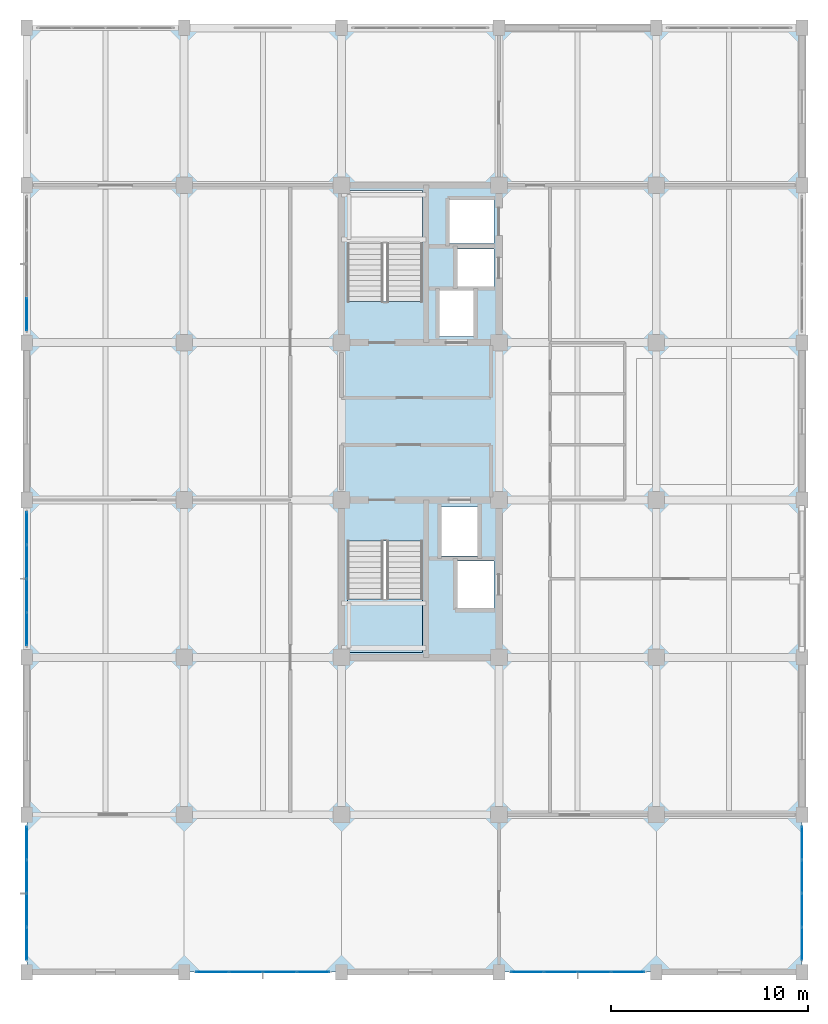
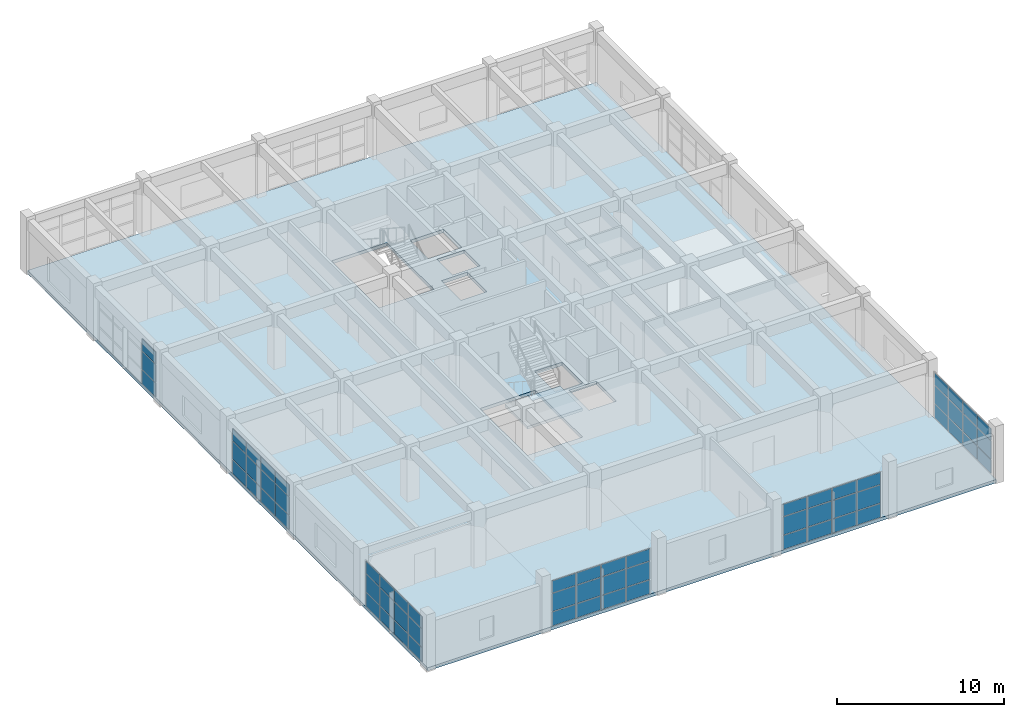
# One storey, part 19 of 27: 63 plates, 2 slabs, 7 elements without a shape of their own.
"""IFC4 building model written with IfcOpenShell, lengths in metres."""

from ifc_helpers import new_model, si_unit, direction, frame, origin, origin_2d, place, context, subcontext, project, spatial, polyline, rectangle, outline, extrude, material, layer, layer_set, type_object, element, aggregate, save


model = new_model("IFC4")

# Units and contexts
model_context = context("Model", 3, precision=1e-05, world=origin(), true_north=direction((0.0, 1.0)))
body_context = subcontext(model_context, "Body", "Model", "MODEL_VIEW")
ifc_project = project(units=[si_unit("LENGTHUNIT", "METRE"), si_unit("AREAUNIT", "SQUARE_METRE"), si_unit("VOLUMEUNIT", "CUBIC_METRE"), si_unit("PLANEANGLEUNIT", "RADIAN"), si_unit("MASSUNIT", "GRAM", prefix="KILO")], contexts=[model_context])

# Site, building, storey
site_placement = place(None, origin())
site = spatial("IfcSite", under=ifc_project, at=site_placement, CompositionType="ELEMENT")
building_placement = place(site_placement, origin())
building = spatial("IfcBuilding", under=site, at=building_placement, Name="Canggui Botanical Conservatory", CompositionType="ELEMENT")
storey_placement = place(building_placement, frame((0.0, 0.0, 23.39990234375)))
storey = spatial("IfcBuildingStorey", under=building, at=storey_placement, Name="L06", CompositionType="ELEMENT", Elevation=23.39990234375)

# Curtain wall, plates
ifc_material_1 = material(Name="Thermally Broken Aluminium", Category="aluminium")
ifc_layer_1 = layer(ifc_material_1, 0.14990234375, Name="Thermally Broken Aluminium", Category="aluminium")
ifc_layer_set_1 = layer_set([ifc_layer_1], Name="Thermally Broken Aluminium")
curtain_wall_type = type_object("IfcCurtainWallType", Name="CW-UNIT-C", PredefinedType="USERDEFINED", material=ifc_layer_set_1)
curtain_wall_1_placement = place(storey_placement, origin())
curtain_wall_1 = element("IfcCurtainWall", 1, at=curtain_wall_1_placement, inside=storey, type_object=curtain_wall_type, Name="Facade Curtain Wall CW-TWR-L06-02", ObjectType="UNITISED CURTAIN WALL", PredefinedType="USERDEFINED")
ifc_material_2 = material(Name="Low-E Insulated Glass", Category="glass")
ifc_layer_2 = layer(ifc_material_2, 0.033935546875, Name="Low-E Insulated Glass", Category="glass")
ifc_layer_set_2 = layer_set([ifc_layer_2], Name="Low-E Insulated Glass")
plate_type = type_object("IfcPlateType", Name="CWP-03", PredefinedType="CURTAIN_PANEL", material=ifc_layer_set_2)
plate_1_placement = place(storey_placement, frame((168.56494140625, 26.0, 0.05517578125), z_axis=(0.0, 0.0, 1.0), x_axis=(-1.0, 0.0, 0.0)))
plate_1 = element("IfcPlate", 2, at=plate_1_placement, type_object=plate_type, Name="CW-03 panel 1.1", PredefinedType="CURTAIN_PANEL", context=body_context, shape_type="SweptSolid", body=[
    extrude(rectangle(XDim=1.6298828125, YDim=0.033935546875, at=origin_2d()), origin(), (0.0, 0.0, 1.0), 1.005615234375),
])
plate_2_placement = place(storey_placement, frame((168.56494140625, 26.0, 1.11572265625), z_axis=(0.0, 0.0, 1.0), x_axis=(-1.0, 0.0, 0.0)))
plate_2 = element("IfcPlate", 3, at=plate_2_placement, type_object=plate_type, Name="CW-03 panel 1.2", PredefinedType="CURTAIN_PANEL", context=body_context, shape_type="SweptSolid", body=[
    extrude(rectangle(XDim=1.6298828125, YDim=0.033935546875, at=origin_2d()), origin(), (0.0, 0.0, 1.0), 1.304931640625),
])
plate_3_placement = place(storey_placement, frame((168.56494140625, 26.0, 2.4755859375), z_axis=(0.0, 0.0, 1.0), x_axis=(-1.0, 0.0, 0.0)))
plate_3 = element("IfcPlate", 4, at=plate_3_placement, type_object=plate_type, Name="CW-03 panel 1.3", PredefinedType="CURTAIN_PANEL", context=body_context, shape_type="SweptSolid", body=[
    extrude(rectangle(XDim=1.6298828125, YDim=0.033935546875, at=origin_2d()), origin(), (0.0, 0.0, 1.0), 0.869384765625),
])
plate_4_placement = place(storey_placement, frame((166.860107421875, 26.0, 0.05517578125), z_axis=(0.0, 0.0, 1.0), x_axis=(-1.0, 0.0, 0.0)))
plate_4 = element("IfcPlate", 5, at=plate_4_placement, type_object=plate_type, Name="CW-03 panel 2.1", PredefinedType="CURTAIN_PANEL", context=body_context, shape_type="SweptSolid", body=[
    extrude(rectangle(XDim=1.659912109375, YDim=0.033935546875, at=origin_2d()), origin(), (0.0, 0.0, 1.0), 1.005615234375),
])
plate_5_placement = place(storey_placement, frame((166.860107421875, 26.0, 1.11572265625), z_axis=(0.0, 0.0, 1.0), x_axis=(-1.0, 0.0, 0.0)))
plate_5 = element("IfcPlate", 6, at=plate_5_placement, type_object=plate_type, Name="CW-03 panel 2.2", PredefinedType="CURTAIN_PANEL", context=body_context, shape_type="SweptSolid", body=[
    extrude(rectangle(XDim=1.659912109375, YDim=0.033935546875, at=origin_2d()), origin(), (0.0, 0.0, 1.0), 1.304931640625),
])
plate_6_placement = place(storey_placement, frame((166.860107421875, 26.0, 2.4755859375), z_axis=(0.0, 0.0, 1.0), x_axis=(-1.0, 0.0, 0.0)))
plate_6 = element("IfcPlate", 7, at=plate_6_placement, type_object=plate_type, Name="CW-03 panel 2.3", PredefinedType="CURTAIN_PANEL", context=body_context, shape_type="SweptSolid", body=[
    extrude(rectangle(XDim=1.659912109375, YDim=0.033935546875, at=origin_2d()), origin(), (0.0, 0.0, 1.0), 0.869384765625),
])
plate_7_placement = place(storey_placement, frame((165.139892578125, 26.0, 0.05517578125), z_axis=(0.0, 0.0, 1.0), x_axis=(-1.0, 0.0, 0.0)))
plate_7 = element("IfcPlate", 8, at=plate_7_placement, type_object=plate_type, Name="CW-03 panel 3.1", PredefinedType="CURTAIN_PANEL", context=body_context, shape_type="SweptSolid", body=[
    extrude(rectangle(XDim=1.659912109375, YDim=0.033935546875, at=origin_2d()), origin(), (0.0, 0.0, 1.0), 1.005615234375),
])
plate_8_placement = place(storey_placement, frame((165.139892578125, 26.0, 1.11572265625), z_axis=(0.0, 0.0, 1.0), x_axis=(-1.0, 0.0, 0.0)))
plate_8 = element("IfcPlate", 9, at=plate_8_placement, type_object=plate_type, Name="CW-03 panel 3.2", PredefinedType="CURTAIN_PANEL", context=body_context, shape_type="SweptSolid", body=[
    extrude(rectangle(XDim=1.659912109375, YDim=0.033935546875, at=origin_2d()), origin(), (0.0, 0.0, 1.0), 1.304931640625),
])
plate_9_placement = place(storey_placement, frame((165.139892578125, 26.0, 2.4755859375), z_axis=(0.0, 0.0, 1.0), x_axis=(-1.0, 0.0, 0.0)))
plate_9 = element("IfcPlate", 10, at=plate_9_placement, type_object=plate_type, Name="CW-03 panel 3.3", PredefinedType="CURTAIN_PANEL", context=body_context, shape_type="SweptSolid", body=[
    extrude(rectangle(XDim=1.659912109375, YDim=0.033935546875, at=origin_2d()), origin(), (0.0, 0.0, 1.0), 0.869384765625),
])
plate_10_placement = place(storey_placement, frame((163.43505859375, 26.0, 0.05517578125), z_axis=(0.0, 0.0, 1.0), x_axis=(-1.0, 0.0, 0.0)))
plate_10 = element("IfcPlate", 11, at=plate_10_placement, type_object=plate_type, Name="CW-03 panel 4.1", PredefinedType="CURTAIN_PANEL", context=body_context, shape_type="SweptSolid", body=[
    extrude(rectangle(XDim=1.6298828125, YDim=0.033935546875, at=origin_2d()), origin(), (0.0, 0.0, 1.0), 1.005615234375),
])
plate_11_placement = place(storey_placement, frame((163.43505859375, 26.0, 1.11572265625), z_axis=(0.0, 0.0, 1.0), x_axis=(-1.0, 0.0, 0.0)))
plate_11 = element("IfcPlate", 12, at=plate_11_placement, type_object=plate_type, Name="CW-03 panel 4.2", PredefinedType="CURTAIN_PANEL", context=body_context, shape_type="SweptSolid", body=[
    extrude(rectangle(XDim=1.6298828125, YDim=0.033935546875, at=origin_2d()), origin(), (0.0, 0.0, 1.0), 1.304931640625),
])
plate_12_placement = place(storey_placement, frame((163.43505859375, 26.0, 2.4755859375), z_axis=(0.0, 0.0, 1.0), x_axis=(-1.0, 0.0, 0.0)))
plate_12 = element("IfcPlate", 13, at=plate_12_placement, type_object=plate_type, Name="CW-03 panel 4.3", PredefinedType="CURTAIN_PANEL", context=body_context, shape_type="SweptSolid", body=[
    extrude(rectangle(XDim=1.6298828125, YDim=0.033935546875, at=origin_2d()), origin(), (0.0, 0.0, 1.0), 0.869384765625),
])
aggregate(curtain_wall_1, [plate_1, plate_2, plate_3, plate_4, plate_5, plate_6, plate_7, plate_8, plate_9, plate_10, plate_11, plate_12])

curtain_wall_2_placement = place(storey_placement, origin())
curtain_wall_2 = element("IfcCurtainWall", 14, at=curtain_wall_2_placement, inside=storey, type_object=curtain_wall_type, Name="Facade Curtain Wall CW-TWR-L06-04", ObjectType="UNITISED CURTAIN WALL", PredefinedType="USERDEFINED")
plate_13_placement = place(storey_placement, frame((152.56494140625, 26.0, 0.05517578125), z_axis=(0.0, 0.0, 1.0), x_axis=(-1.0, 0.0, 0.0)))
plate_13 = element("IfcPlate", 15, at=plate_13_placement, type_object=plate_type, Name="CW-03 panel 1.1", PredefinedType="CURTAIN_PANEL", context=body_context, shape_type="SweptSolid", body=[
    extrude(rectangle(XDim=1.6298828125, YDim=0.033935546875, at=origin_2d()), origin(), (0.0, 0.0, 1.0), 1.005615234375),
])
plate_14_placement = place(storey_placement, frame((152.56494140625, 26.0, 1.11572265625), z_axis=(0.0, 0.0, 1.0), x_axis=(-1.0, 0.0, 0.0)))
plate_14 = element("IfcPlate", 16, at=plate_14_placement, type_object=plate_type, Name="CW-03 panel 1.2", PredefinedType="CURTAIN_PANEL", context=body_context, shape_type="SweptSolid", body=[
    extrude(rectangle(XDim=1.6298828125, YDim=0.033935546875, at=origin_2d()), origin(), (0.0, 0.0, 1.0), 1.304931640625),
])
plate_15_placement = place(storey_placement, frame((152.56494140625, 26.0, 2.4755859375), z_axis=(0.0, 0.0, 1.0), x_axis=(-1.0, 0.0, 0.0)))
plate_15 = element("IfcPlate", 17, at=plate_15_placement, type_object=plate_type, Name="CW-03 panel 1.3", PredefinedType="CURTAIN_PANEL", context=body_context, shape_type="SweptSolid", body=[
    extrude(rectangle(XDim=1.6298828125, YDim=0.033935546875, at=origin_2d()), origin(), (0.0, 0.0, 1.0), 0.869384765625),
])
plate_16_placement = place(storey_placement, frame((150.860107421875, 26.0, 0.05517578125), z_axis=(0.0, 0.0, 1.0), x_axis=(-1.0, 0.0, 0.0)))
plate_16 = element("IfcPlate", 18, at=plate_16_placement, type_object=plate_type, Name="CW-03 panel 2.1", PredefinedType="CURTAIN_PANEL", context=body_context, shape_type="SweptSolid", body=[
    extrude(rectangle(XDim=1.659912109375, YDim=0.033935546875, at=origin_2d()), origin(), (0.0, 0.0, 1.0), 1.005615234375),
])
plate_17_placement = place(storey_placement, frame((150.860107421875, 26.0, 1.11572265625), z_axis=(0.0, 0.0, 1.0), x_axis=(-1.0, 0.0, 0.0)))
plate_17 = element("IfcPlate", 19, at=plate_17_placement, type_object=plate_type, Name="CW-03 panel 2.2", PredefinedType="CURTAIN_PANEL", context=body_context, shape_type="SweptSolid", body=[
    extrude(rectangle(XDim=1.659912109375, YDim=0.033935546875, at=origin_2d()), origin(), (0.0, 0.0, 1.0), 1.304931640625),
])
plate_18_placement = place(storey_placement, frame((150.860107421875, 26.0, 2.4755859375), z_axis=(0.0, 0.0, 1.0), x_axis=(-1.0, 0.0, 0.0)))
plate_18 = element("IfcPlate", 20, at=plate_18_placement, type_object=plate_type, Name="CW-03 panel 2.3", PredefinedType="CURTAIN_PANEL", context=body_context, shape_type="SweptSolid", body=[
    extrude(rectangle(XDim=1.659912109375, YDim=0.033935546875, at=origin_2d()), origin(), (0.0, 0.0, 1.0), 0.869384765625),
])
plate_19_placement = place(storey_placement, frame((149.139892578125, 26.0, 0.05517578125), z_axis=(0.0, 0.0, 1.0), x_axis=(-1.0, 0.0, 0.0)))
plate_19 = element("IfcPlate", 21, at=plate_19_placement, type_object=plate_type, Name="CW-03 panel 3.1", PredefinedType="CURTAIN_PANEL", context=body_context, shape_type="SweptSolid", body=[
    extrude(rectangle(XDim=1.659912109375, YDim=0.033935546875, at=origin_2d()), origin(), (0.0, 0.0, 1.0), 1.005615234375),
])
plate_20_placement = place(storey_placement, frame((149.139892578125, 26.0, 1.11572265625), z_axis=(0.0, 0.0, 1.0), x_axis=(-1.0, 0.0, 0.0)))
plate_20 = element("IfcPlate", 22, at=plate_20_placement, type_object=plate_type, Name="CW-03 panel 3.2", PredefinedType="CURTAIN_PANEL", context=body_context, shape_type="SweptSolid", body=[
    extrude(rectangle(XDim=1.659912109375, YDim=0.033935546875, at=origin_2d()), origin(), (0.0, 0.0, 1.0), 1.304931640625),
])
plate_21_placement = place(storey_placement, frame((149.139892578125, 26.0, 2.4755859375), z_axis=(0.0, 0.0, 1.0), x_axis=(-1.0, 0.0, 0.0)))
plate_21 = element("IfcPlate", 23, at=plate_21_placement, type_object=plate_type, Name="CW-03 panel 3.3", PredefinedType="CURTAIN_PANEL", context=body_context, shape_type="SweptSolid", body=[
    extrude(rectangle(XDim=1.659912109375, YDim=0.033935546875, at=origin_2d()), origin(), (0.0, 0.0, 1.0), 0.869384765625),
])
plate_22_placement = place(storey_placement, frame((147.43505859375, 26.0, 0.05517578125), z_axis=(0.0, 0.0, 1.0), x_axis=(-1.0, 0.0, 0.0)))
plate_22 = element("IfcPlate", 24, at=plate_22_placement, type_object=plate_type, Name="CW-03 panel 4.1", PredefinedType="CURTAIN_PANEL", context=body_context, shape_type="SweptSolid", body=[
    extrude(rectangle(XDim=1.6298828125, YDim=0.033935546875, at=origin_2d()), origin(), (0.0, 0.0, 1.0), 1.005615234375),
])
plate_23_placement = place(storey_placement, frame((147.43505859375, 26.0, 1.11572265625), z_axis=(0.0, 0.0, 1.0), x_axis=(-1.0, 0.0, 0.0)))
plate_23 = element("IfcPlate", 25, at=plate_23_placement, type_object=plate_type, Name="CW-03 panel 4.2", PredefinedType="CURTAIN_PANEL", context=body_context, shape_type="SweptSolid", body=[
    extrude(rectangle(XDim=1.6298828125, YDim=0.033935546875, at=origin_2d()), origin(), (0.0, 0.0, 1.0), 1.304931640625),
])
plate_24_placement = place(storey_placement, frame((147.43505859375, 26.0, 2.4755859375), z_axis=(0.0, 0.0, 1.0), x_axis=(-1.0, 0.0, 0.0)))
plate_24 = element("IfcPlate", 26, at=plate_24_placement, type_object=plate_type, Name="CW-03 panel 4.3", PredefinedType="CURTAIN_PANEL", context=body_context, shape_type="SweptSolid", body=[
    extrude(rectangle(XDim=1.6298828125, YDim=0.033935546875, at=origin_2d()), origin(), (0.0, 0.0, 1.0), 0.869384765625),
])
aggregate(curtain_wall_2, [plate_13, plate_14, plate_15, plate_16, plate_17, plate_18, plate_19, plate_20, plate_21, plate_22, plate_23, plate_24])

curtain_wall_3_placement = place(storey_placement, origin())
curtain_wall_3 = element("IfcCurtainWall", 27, at=curtain_wall_3_placement, inside=storey, type_object=curtain_wall_type, Name="Facade Curtain Wall CW-TWR-L06-06", ObjectType="UNITISED CURTAIN WALL", PredefinedType="USERDEFINED")
plate_25_placement = place(storey_placement, frame((138.0, 27.43505859375, 0.05517578125), z_axis=(0.0, 0.0, 1.0), x_axis=(0.0, 1.0, 0.0)))
plate_25 = element("IfcPlate", 28, at=plate_25_placement, type_object=plate_type, Name="CW-03 panel 1.1", PredefinedType="CURTAIN_PANEL", context=body_context, shape_type="SweptSolid", body=[
    extrude(rectangle(XDim=1.6298828125, YDim=0.033935546875, at=origin_2d()), origin(), (0.0, 0.0, 1.0), 1.005615234375),
])
plate_26_placement = place(storey_placement, frame((138.0, 27.43505859375, 1.11572265625), z_axis=(0.0, 0.0, 1.0), x_axis=(0.0, 1.0, 0.0)))
plate_26 = element("IfcPlate", 29, at=plate_26_placement, type_object=plate_type, Name="CW-03 panel 1.2", PredefinedType="CURTAIN_PANEL", context=body_context, shape_type="SweptSolid", body=[
    extrude(rectangle(XDim=1.6298828125, YDim=0.033935546875, at=origin_2d()), origin(), (0.0, 0.0, 1.0), 1.304931640625),
])
plate_27_placement = place(storey_placement, frame((138.0, 27.43505859375, 2.4755859375), z_axis=(0.0, 0.0, 1.0), x_axis=(0.0, 1.0, 0.0)))
plate_27 = element("IfcPlate", 30, at=plate_27_placement, type_object=plate_type, Name="CW-03 panel 1.3", PredefinedType="CURTAIN_PANEL", context=body_context, shape_type="SweptSolid", body=[
    extrude(rectangle(XDim=1.6298828125, YDim=0.033935546875, at=origin_2d()), origin(), (0.0, 0.0, 1.0), 0.869384765625),
])
plate_28_placement = place(storey_placement, frame((138.0, 29.139892578125, 0.05517578125), z_axis=(0.0, 0.0, 1.0), x_axis=(0.0, 1.0, 0.0)))
plate_28 = element("IfcPlate", 31, at=plate_28_placement, type_object=plate_type, Name="CW-03 panel 2.1", PredefinedType="CURTAIN_PANEL", context=body_context, shape_type="SweptSolid", body=[
    extrude(rectangle(XDim=1.659912109375, YDim=0.033935546875, at=origin_2d()), origin(), (0.0, 0.0, 1.0), 1.005615234375),
])
plate_29_placement = place(storey_placement, frame((138.0, 29.139892578125, 1.11572265625), z_axis=(0.0, 0.0, 1.0), x_axis=(0.0, 1.0, 0.0)))
plate_29 = element("IfcPlate", 32, at=plate_29_placement, type_object=plate_type, Name="CW-03 panel 2.2", PredefinedType="CURTAIN_PANEL", context=body_context, shape_type="SweptSolid", body=[
    extrude(rectangle(XDim=1.659912109375, YDim=0.033935546875, at=origin_2d()), origin(), (0.0, 0.0, 1.0), 1.304931640625),
])
plate_30_placement = place(storey_placement, frame((138.0, 29.139892578125, 2.4755859375), z_axis=(0.0, 0.0, 1.0), x_axis=(0.0, 1.0, 0.0)))
plate_30 = element("IfcPlate", 33, at=plate_30_placement, type_object=plate_type, Name="CW-03 panel 2.3", PredefinedType="CURTAIN_PANEL", context=body_context, shape_type="SweptSolid", body=[
    extrude(rectangle(XDim=1.659912109375, YDim=0.033935546875, at=origin_2d()), origin(), (0.0, 0.0, 1.0), 0.869384765625),
])
plate_31_placement = place(storey_placement, frame((138.0, 30.860107421875, 0.05517578125), z_axis=(0.0, 0.0, 1.0), x_axis=(0.0, 1.0, 0.0)))
plate_31 = element("IfcPlate", 34, at=plate_31_placement, type_object=plate_type, Name="CW-03 panel 3.1", PredefinedType="CURTAIN_PANEL", context=body_context, shape_type="SweptSolid", body=[
    extrude(rectangle(XDim=1.659912109375, YDim=0.033935546875, at=origin_2d()), origin(), (0.0, 0.0, 1.0), 1.005615234375),
])
plate_32_placement = place(storey_placement, frame((138.0, 30.860107421875, 1.11572265625), z_axis=(0.0, 0.0, 1.0), x_axis=(0.0, 1.0, 0.0)))
plate_32 = element("IfcPlate", 35, at=plate_32_placement, type_object=plate_type, Name="CW-03 panel 3.2", PredefinedType="CURTAIN_PANEL", context=body_context, shape_type="SweptSolid", body=[
    extrude(rectangle(XDim=1.659912109375, YDim=0.033935546875, at=origin_2d()), origin(), (0.0, 0.0, 1.0), 1.304931640625),
])
plate_33_placement = place(storey_placement, frame((138.0, 30.860107421875, 2.4755859375), z_axis=(0.0, 0.0, 1.0), x_axis=(0.0, 1.0, 0.0)))
plate_33 = element("IfcPlate", 36, at=plate_33_placement, type_object=plate_type, Name="CW-03 panel 3.3", PredefinedType="CURTAIN_PANEL", context=body_context, shape_type="SweptSolid", body=[
    extrude(rectangle(XDim=1.659912109375, YDim=0.033935546875, at=origin_2d()), origin(), (0.0, 0.0, 1.0), 0.869384765625),
])
plate_34_placement = place(storey_placement, frame((138.0, 32.56494140625, 0.05517578125), z_axis=(0.0, 0.0, 1.0), x_axis=(0.0, 1.0, 0.0)))
plate_34 = element("IfcPlate", 37, at=plate_34_placement, type_object=plate_type, Name="CW-03 panel 4.1", PredefinedType="CURTAIN_PANEL", context=body_context, shape_type="SweptSolid", body=[
    extrude(rectangle(XDim=1.6298828125, YDim=0.033935546875, at=origin_2d()), origin(), (0.0, 0.0, 1.0), 1.005615234375),
])
plate_35_placement = place(storey_placement, frame((138.0, 32.56494140625, 1.11572265625), z_axis=(0.0, 0.0, 1.0), x_axis=(0.0, 1.0, 0.0)))
plate_35 = element("IfcPlate", 38, at=plate_35_placement, type_object=plate_type, Name="CW-03 panel 4.2", PredefinedType="CURTAIN_PANEL", context=body_context, shape_type="SweptSolid", body=[
    extrude(rectangle(XDim=1.6298828125, YDim=0.033935546875, at=origin_2d()), origin(), (0.0, 0.0, 1.0), 1.304931640625),
])
plate_36_placement = place(storey_placement, frame((138.0, 32.56494140625, 2.4755859375), z_axis=(0.0, 0.0, 1.0), x_axis=(0.0, 1.0, 0.0)))
plate_36 = element("IfcPlate", 39, at=plate_36_placement, type_object=plate_type, Name="CW-03 panel 4.3", PredefinedType="CURTAIN_PANEL", context=body_context, shape_type="SweptSolid", body=[
    extrude(rectangle(XDim=1.6298828125, YDim=0.033935546875, at=origin_2d()), origin(), (0.0, 0.0, 1.0), 0.869384765625),
])
aggregate(curtain_wall_3, [plate_25, plate_26, plate_27, plate_28, plate_29, plate_30, plate_31, plate_32, plate_33, plate_34, plate_35, plate_36])

curtain_wall_4_placement = place(storey_placement, origin())
curtain_wall_4 = element("IfcCurtainWall", 40, at=curtain_wall_4_placement, inside=storey, type_object=curtain_wall_type, Name="Facade Curtain Wall CW-TWR-L06-08", ObjectType="UNITISED CURTAIN WALL", PredefinedType="USERDEFINED")
plate_37_placement = place(storey_placement, frame((138.0, 43.43505859375, 0.05517578125), z_axis=(0.0, 0.0, 1.0), x_axis=(0.0, 1.0, 0.0)))
plate_37 = element("IfcPlate", 41, at=plate_37_placement, type_object=plate_type, Name="CW-03 panel 1.1", PredefinedType="CURTAIN_PANEL", context=body_context, shape_type="SweptSolid", body=[
    extrude(rectangle(XDim=1.6298828125, YDim=0.033935546875, at=origin_2d()), origin(), (0.0, 0.0, 1.0), 1.005615234375),
])
plate_38_placement = place(storey_placement, frame((138.0, 43.43505859375, 1.11572265625), z_axis=(0.0, 0.0, 1.0), x_axis=(0.0, 1.0, 0.0)))
plate_38 = element("IfcPlate", 42, at=plate_38_placement, type_object=plate_type, Name="CW-03 panel 1.2", PredefinedType="CURTAIN_PANEL", context=body_context, shape_type="SweptSolid", body=[
    extrude(rectangle(XDim=1.6298828125, YDim=0.033935546875, at=origin_2d()), origin(), (0.0, 0.0, 1.0), 1.304931640625),
])
plate_39_placement = place(storey_placement, frame((138.0, 43.43505859375, 2.4755859375), z_axis=(0.0, 0.0, 1.0), x_axis=(0.0, 1.0, 0.0)))
plate_39 = element("IfcPlate", 43, at=plate_39_placement, type_object=plate_type, Name="CW-03 panel 1.3", PredefinedType="CURTAIN_PANEL", context=body_context, shape_type="SweptSolid", body=[
    extrude(rectangle(XDim=1.6298828125, YDim=0.033935546875, at=origin_2d()), origin(), (0.0, 0.0, 1.0), 0.869384765625),
])
plate_40_placement = place(storey_placement, frame((138.0, 45.139892578125, 0.05517578125), z_axis=(0.0, 0.0, 1.0), x_axis=(0.0, 1.0, 0.0)))
plate_40 = element("IfcPlate", 44, at=plate_40_placement, type_object=plate_type, Name="CW-03 panel 2.1", PredefinedType="CURTAIN_PANEL", context=body_context, shape_type="SweptSolid", body=[
    extrude(rectangle(XDim=1.659912109375, YDim=0.033935546875, at=origin_2d()), origin(), (0.0, 0.0, 1.0), 1.005615234375),
])
plate_41_placement = place(storey_placement, frame((138.0, 45.139892578125, 1.11572265625), z_axis=(0.0, 0.0, 1.0), x_axis=(0.0, 1.0, 0.0)))
plate_41 = element("IfcPlate", 45, at=plate_41_placement, type_object=plate_type, Name="CW-03 panel 2.2", PredefinedType="CURTAIN_PANEL", context=body_context, shape_type="SweptSolid", body=[
    extrude(rectangle(XDim=1.659912109375, YDim=0.033935546875, at=origin_2d()), origin(), (0.0, 0.0, 1.0), 1.304931640625),
])
plate_42_placement = place(storey_placement, frame((138.0, 45.139892578125, 2.4755859375), z_axis=(0.0, 0.0, 1.0), x_axis=(0.0, 1.0, 0.0)))
plate_42 = element("IfcPlate", 46, at=plate_42_placement, type_object=plate_type, Name="CW-03 panel 2.3", PredefinedType="CURTAIN_PANEL", context=body_context, shape_type="SweptSolid", body=[
    extrude(rectangle(XDim=1.659912109375, YDim=0.033935546875, at=origin_2d()), origin(), (0.0, 0.0, 1.0), 0.869384765625),
])
plate_43_placement = place(storey_placement, frame((138.0, 46.860107421875, 0.05517578125), z_axis=(0.0, 0.0, 1.0), x_axis=(0.0, 1.0, 0.0)))
plate_43 = element("IfcPlate", 47, at=plate_43_placement, type_object=plate_type, Name="CW-03 panel 3.1", PredefinedType="CURTAIN_PANEL", context=body_context, shape_type="SweptSolid", body=[
    extrude(rectangle(XDim=1.659912109375, YDim=0.033935546875, at=origin_2d()), origin(), (0.0, 0.0, 1.0), 1.005615234375),
])
plate_44_placement = place(storey_placement, frame((138.0, 46.860107421875, 1.11572265625), z_axis=(0.0, 0.0, 1.0), x_axis=(0.0, 1.0, 0.0)))
plate_44 = element("IfcPlate", 48, at=plate_44_placement, type_object=plate_type, Name="CW-03 panel 3.2", PredefinedType="CURTAIN_PANEL", context=body_context, shape_type="SweptSolid", body=[
    extrude(rectangle(XDim=1.659912109375, YDim=0.033935546875, at=origin_2d()), origin(), (0.0, 0.0, 1.0), 1.304931640625),
])
plate_45_placement = place(storey_placement, frame((138.0, 46.860107421875, 2.4755859375), z_axis=(0.0, 0.0, 1.0), x_axis=(0.0, 1.0, 0.0)))
plate_45 = element("IfcPlate", 49, at=plate_45_placement, type_object=plate_type, Name="CW-03 panel 3.3", PredefinedType="CURTAIN_PANEL", context=body_context, shape_type="SweptSolid", body=[
    extrude(rectangle(XDim=1.659912109375, YDim=0.033935546875, at=origin_2d()), origin(), (0.0, 0.0, 1.0), 0.869384765625),
])
plate_46_placement = place(storey_placement, frame((138.0, 48.56494140625, 0.05517578125), z_axis=(0.0, 0.0, 1.0), x_axis=(0.0, 1.0, 0.0)))
plate_46 = element("IfcPlate", 50, at=plate_46_placement, type_object=plate_type, Name="CW-03 panel 4.1", PredefinedType="CURTAIN_PANEL", context=body_context, shape_type="SweptSolid", body=[
    extrude(rectangle(XDim=1.6298828125, YDim=0.033935546875, at=origin_2d()), origin(), (0.0, 0.0, 1.0), 1.005615234375),
])
plate_47_placement = place(storey_placement, frame((138.0, 48.56494140625, 1.11572265625), z_axis=(0.0, 0.0, 1.0), x_axis=(0.0, 1.0, 0.0)))
plate_47 = element("IfcPlate", 51, at=plate_47_placement, type_object=plate_type, Name="CW-03 panel 4.2", PredefinedType="CURTAIN_PANEL", context=body_context, shape_type="SweptSolid", body=[
    extrude(rectangle(XDim=1.6298828125, YDim=0.033935546875, at=origin_2d()), origin(), (0.0, 0.0, 1.0), 1.304931640625),
])
plate_48_placement = place(storey_placement, frame((138.0, 48.56494140625, 2.4755859375), z_axis=(0.0, 0.0, 1.0), x_axis=(0.0, 1.0, 0.0)))
plate_48 = element("IfcPlate", 52, at=plate_48_placement, type_object=plate_type, Name="CW-03 panel 4.3", PredefinedType="CURTAIN_PANEL", context=body_context, shape_type="SweptSolid", body=[
    extrude(rectangle(XDim=1.6298828125, YDim=0.033935546875, at=origin_2d()), origin(), (0.0, 0.0, 1.0), 0.869384765625),
])
aggregate(curtain_wall_4, [plate_37, plate_38, plate_39, plate_40, plate_41, plate_42, plate_43, plate_44, plate_45, plate_46, plate_47, plate_48])

curtain_wall_5_placement = place(storey_placement, origin())
curtain_wall_5 = element("IfcCurtainWall", 53, at=curtain_wall_5_placement, inside=storey, type_object=curtain_wall_type, Name="Facade Curtain Wall CW-TWR-L06-10", ObjectType="UNITISED CURTAIN WALL", PredefinedType="USERDEFINED")
plate_49_placement = place(storey_placement, frame((138.0, 59.43505859375, 0.05517578125), z_axis=(0.0, 0.0, 1.0), x_axis=(0.0, 1.0, 0.0)))
plate_49 = element("IfcPlate", 54, at=plate_49_placement, type_object=plate_type, Name="CW-03 panel 1.1", PredefinedType="CURTAIN_PANEL", context=body_context, shape_type="SweptSolid", body=[
    extrude(rectangle(XDim=1.6298828125, YDim=0.033935546875, at=origin_2d()), origin(), (0.0, 0.0, 1.0), 1.005615234375),
])
plate_50_placement = place(storey_placement, frame((138.0, 59.43505859375, 1.11572265625), z_axis=(0.0, 0.0, 1.0), x_axis=(0.0, 1.0, 0.0)))
plate_50 = element("IfcPlate", 55, at=plate_50_placement, type_object=plate_type, Name="CW-03 panel 1.2", PredefinedType="CURTAIN_PANEL", context=body_context, shape_type="SweptSolid", body=[
    extrude(rectangle(XDim=1.6298828125, YDim=0.033935546875, at=origin_2d()), origin(), (0.0, 0.0, 1.0), 1.304931640625),
])
plate_51_placement = place(storey_placement, frame((138.0, 59.43505859375, 2.4755859375), z_axis=(0.0, 0.0, 1.0), x_axis=(0.0, 1.0, 0.0)))
plate_51 = element("IfcPlate", 56, at=plate_51_placement, type_object=plate_type, Name="CW-03 panel 1.3", PredefinedType="CURTAIN_PANEL", context=body_context, shape_type="SweptSolid", body=[
    extrude(rectangle(XDim=1.6298828125, YDim=0.033935546875, at=origin_2d()), origin(), (0.0, 0.0, 1.0), 0.869384765625),
])
aggregate(curtain_wall_5, [plate_49, plate_50, plate_51])

curtain_wall_6_placement = place(storey_placement, origin())
curtain_wall_6 = element("IfcCurtainWall", 57, at=curtain_wall_6_placement, inside=storey, type_object=curtain_wall_type, Name="Facade Curtain Wall CW-TWR-L06-22", ObjectType="UNITISED CURTAIN WALL", PredefinedType="USERDEFINED")
plate_52_placement = place(storey_placement, frame((177.39990234375, 32.56494140625, 0.05517578125), z_axis=(0.0, 0.0, 1.0), x_axis=(0.0, -1.0, 0.0)))
plate_52 = element("IfcPlate", 58, at=plate_52_placement, type_object=plate_type, Name="CW-03 panel 1.1", PredefinedType="CURTAIN_PANEL", context=body_context, shape_type="SweptSolid", body=[
    extrude(rectangle(XDim=1.6298828125, YDim=0.033935546875, at=origin_2d()), origin(), (0.0, 0.0, 1.0), 1.005615234375),
])
plate_53_placement = place(storey_placement, frame((177.39990234375, 32.56494140625, 1.11572265625), z_axis=(0.0, 0.0, 1.0), x_axis=(0.0, -1.0, 0.0)))
plate_53 = element("IfcPlate", 59, at=plate_53_placement, type_object=plate_type, Name="CW-03 panel 1.2", PredefinedType="CURTAIN_PANEL", context=body_context, shape_type="SweptSolid", body=[
    extrude(rectangle(XDim=1.6298828125, YDim=0.033935546875, at=origin_2d()), origin(), (0.0, 0.0, 1.0), 1.304931640625),
])
plate_54_placement = place(storey_placement, frame((177.39990234375, 32.56494140625, 2.4755859375), z_axis=(0.0, 0.0, 1.0), x_axis=(0.0, -1.0, 0.0)))
plate_54 = element("IfcPlate", 60, at=plate_54_placement, type_object=plate_type, Name="CW-03 panel 1.3", PredefinedType="CURTAIN_PANEL", context=body_context, shape_type="SweptSolid", body=[
    extrude(rectangle(XDim=1.6298828125, YDim=0.033935546875, at=origin_2d()), origin(), (0.0, 0.0, 1.0), 0.869384765625),
])
plate_55_placement = place(storey_placement, frame((177.39990234375, 30.860107421875, 0.05517578125), z_axis=(0.0, 0.0, 1.0), x_axis=(0.0, -1.0, 0.0)))
plate_55 = element("IfcPlate", 61, at=plate_55_placement, type_object=plate_type, Name="CW-03 panel 2.1", PredefinedType="CURTAIN_PANEL", context=body_context, shape_type="SweptSolid", body=[
    extrude(rectangle(XDim=1.659912109375, YDim=0.033935546875, at=origin_2d()), origin(), (0.0, 0.0, 1.0), 1.005615234375),
])
plate_56_placement = place(storey_placement, frame((177.39990234375, 30.860107421875, 1.11572265625), z_axis=(0.0, 0.0, 1.0), x_axis=(0.0, -1.0, 0.0)))
plate_56 = element("IfcPlate", 62, at=plate_56_placement, type_object=plate_type, Name="CW-03 panel 2.2", PredefinedType="CURTAIN_PANEL", context=body_context, shape_type="SweptSolid", body=[
    extrude(rectangle(XDim=1.659912109375, YDim=0.033935546875, at=origin_2d()), origin(), (0.0, 0.0, 1.0), 1.304931640625),
])
plate_57_placement = place(storey_placement, frame((177.39990234375, 30.860107421875, 2.4755859375), z_axis=(0.0, 0.0, 1.0), x_axis=(0.0, -1.0, 0.0)))
plate_57 = element("IfcPlate", 63, at=plate_57_placement, type_object=plate_type, Name="CW-03 panel 2.3", PredefinedType="CURTAIN_PANEL", context=body_context, shape_type="SweptSolid", body=[
    extrude(rectangle(XDim=1.659912109375, YDim=0.033935546875, at=origin_2d()), origin(), (0.0, 0.0, 1.0), 0.869384765625),
])
plate_58_placement = place(storey_placement, frame((177.39990234375, 29.139892578125, 0.05517578125), z_axis=(0.0, 0.0, 1.0), x_axis=(0.0, -1.0, 0.0)))
plate_58 = element("IfcPlate", 64, at=plate_58_placement, type_object=plate_type, Name="CW-03 panel 3.1", PredefinedType="CURTAIN_PANEL", context=body_context, shape_type="SweptSolid", body=[
    extrude(rectangle(XDim=1.659912109375, YDim=0.033935546875, at=origin_2d()), origin(), (0.0, 0.0, 1.0), 1.005615234375),
])
plate_59_placement = place(storey_placement, frame((177.39990234375, 29.139892578125, 1.11572265625), z_axis=(0.0, 0.0, 1.0), x_axis=(0.0, -1.0, 0.0)))
plate_59 = element("IfcPlate", 65, at=plate_59_placement, type_object=plate_type, Name="CW-03 panel 3.2", PredefinedType="CURTAIN_PANEL", context=body_context, shape_type="SweptSolid", body=[
    extrude(rectangle(XDim=1.659912109375, YDim=0.033935546875, at=origin_2d()), origin(), (0.0, 0.0, 1.0), 1.304931640625),
])
plate_60_placement = place(storey_placement, frame((177.39990234375, 29.139892578125, 2.4755859375), z_axis=(0.0, 0.0, 1.0), x_axis=(0.0, -1.0, 0.0)))
plate_60 = element("IfcPlate", 66, at=plate_60_placement, type_object=plate_type, Name="CW-03 panel 3.3", PredefinedType="CURTAIN_PANEL", context=body_context, shape_type="SweptSolid", body=[
    extrude(rectangle(XDim=1.659912109375, YDim=0.033935546875, at=origin_2d()), origin(), (0.0, 0.0, 1.0), 0.869384765625),
])
plate_61_placement = place(storey_placement, frame((177.39990234375, 27.43505859375, 0.05517578125), z_axis=(0.0, 0.0, 1.0), x_axis=(0.0, -1.0, 0.0)))
plate_61 = element("IfcPlate", 67, at=plate_61_placement, type_object=plate_type, Name="CW-03 panel 4.1", PredefinedType="CURTAIN_PANEL", context=body_context, shape_type="SweptSolid", body=[
    extrude(rectangle(XDim=1.6298828125, YDim=0.033935546875, at=origin_2d()), origin(), (0.0, 0.0, 1.0), 1.005615234375),
])
plate_62_placement = place(storey_placement, frame((177.39990234375, 27.43505859375, 1.11572265625), z_axis=(0.0, 0.0, 1.0), x_axis=(0.0, -1.0, 0.0)))
plate_62 = element("IfcPlate", 68, at=plate_62_placement, type_object=plate_type, Name="CW-03 panel 4.2", PredefinedType="CURTAIN_PANEL", context=body_context, shape_type="SweptSolid", body=[
    extrude(rectangle(XDim=1.6298828125, YDim=0.033935546875, at=origin_2d()), origin(), (0.0, 0.0, 1.0), 1.304931640625),
])
plate_63_placement = place(storey_placement, frame((177.39990234375, 27.43505859375, 2.4755859375), z_axis=(0.0, 0.0, 1.0), x_axis=(0.0, -1.0, 0.0)))
plate_63 = element("IfcPlate", 69, at=plate_63_placement, type_object=plate_type, Name="CW-03 panel 4.3", PredefinedType="CURTAIN_PANEL", context=body_context, shape_type="SweptSolid", body=[
    extrude(rectangle(XDim=1.6298828125, YDim=0.033935546875, at=origin_2d()), origin(), (0.0, 0.0, 1.0), 0.869384765625),
])
aggregate(curtain_wall_6, [plate_52, plate_53, plate_54, plate_55, plate_56, plate_57, plate_58, plate_59, plate_60, plate_61, plate_62, plate_63])

# Slab
ifc_material_3 = material(Name="Concrete C35", Category="concrete")
ifc_layer_3 = layer(ifc_material_3, 0.239990234375, Name="Concrete C35", Category="concrete")
ifc_layer_set_3 = layer_set([ifc_layer_3], Name="Concrete C35")
slab_type_1 = type_object("IfcSlabType", Name="SLAB-F240", PredefinedType="FLOOR", material=ifc_layer_set_3)
slab_1_placement = place(storey_placement, frame((0.0, 0.0, -0.239990234375)))
element("IfcSlab", 70, at=slab_1_placement, inside=storey, type_object=slab_type_1, Name="Research Tower L06 Floor Slab", PredefinedType="FLOOR", context=body_context, shape_type="SweptSolid", body=[
    extrude(outline(polyline([(138.0, 26.0), (177.39990234375, 26.0), (177.39990234375, 74.0), (138.0, 74.0), (138.0, 26.0)]), holes=[polyline([(154.300048828125, 47.91943359375), (154.300048828125, 42.260009765625), (158.1201171875, 42.260009765625), (158.1201171875, 47.91943359375), (154.300048828125, 47.91943359375)]), polyline([(158.1201171875, 60.08056640625), (158.1201171875, 65.739990234375), (154.300048828125, 65.739990234375), (154.300048828125, 60.08056640625), (158.1201171875, 60.08056640625)]), polyline([(159.050048828125, 47.14990234375), (160.949951171875, 47.14990234375), (160.949951171875, 49.64990234375), (159.050048828125, 49.64990234375), (159.050048828125, 47.14990234375)]), polyline([(159.85009765625, 44.5), (161.75, 44.5), (161.75, 46.89990234375), (159.85009765625, 46.89990234375), (159.85009765625, 44.5)]), polyline([(158.949951171875, 58.300048828125), (160.75, 58.300048828125), (160.75, 60.64990234375), (158.949951171875, 60.64990234375), (158.949951171875, 58.300048828125)]), polyline([(159.85009765625, 60.85009765625), (161.75, 60.85009765625), (161.75, 62.75), (159.85009765625, 62.75), (159.85009765625, 60.85009765625)]), polyline([(159.449951171875, 63.050048828125), (161.75, 63.050048828125), (161.75, 65.25), (159.449951171875, 65.25), (159.449951171875, 63.050048828125)])]), origin(), (0.0, 0.0, 1.0), 0.239990234375),
])

# Stair, slab
stair_type = type_object("IfcStairType", Name="STR-TYPE-6", PredefinedType="HALF_TURN_STAIR", material=ifc_material_3)
stair_placement = place(storey_placement, origin())
stair = element("IfcStair", 71, at=stair_placement, inside=storey, type_object=stair_type, Name="L06 Tower South Smoke-Proof Stair ST-T1", PredefinedType="HALF_TURN_STAIR")
ifc_layer_4 = layer(ifc_material_3, 0.199951171875, Name="Concrete C35", Category="concrete")
ifc_layer_set_4 = layer_set([ifc_layer_4], Name="Concrete C35")
slab_type_2 = type_object("IfcSlabType", Name="SLAB-LND-200", PredefinedType="LANDING", material=ifc_layer_set_4)
slab_2_placement = place(storey_placement, frame((0.0, 0.0, 1.900146484375)))
slab_2 = element("IfcSlab", 72, at=slab_2_placement, type_object=slab_type_2, Name="ST-T1 landing 1", PredefinedType="LANDING", context=body_context, shape_type="SweptSolid", body=[
    extrude(outline(polyline([(154.300048828125, 44.972412109375), (154.300048828125, 42.260009765625), (158.1201171875, 42.260009765625), (158.1201171875, 44.972412109375), (154.300048828125, 44.972412109375)])), origin(), (0.0, 0.0, 1.0), 0.199951171875),
])
aggregate(stair, [slab_2])

save(model, "model.ifc")
